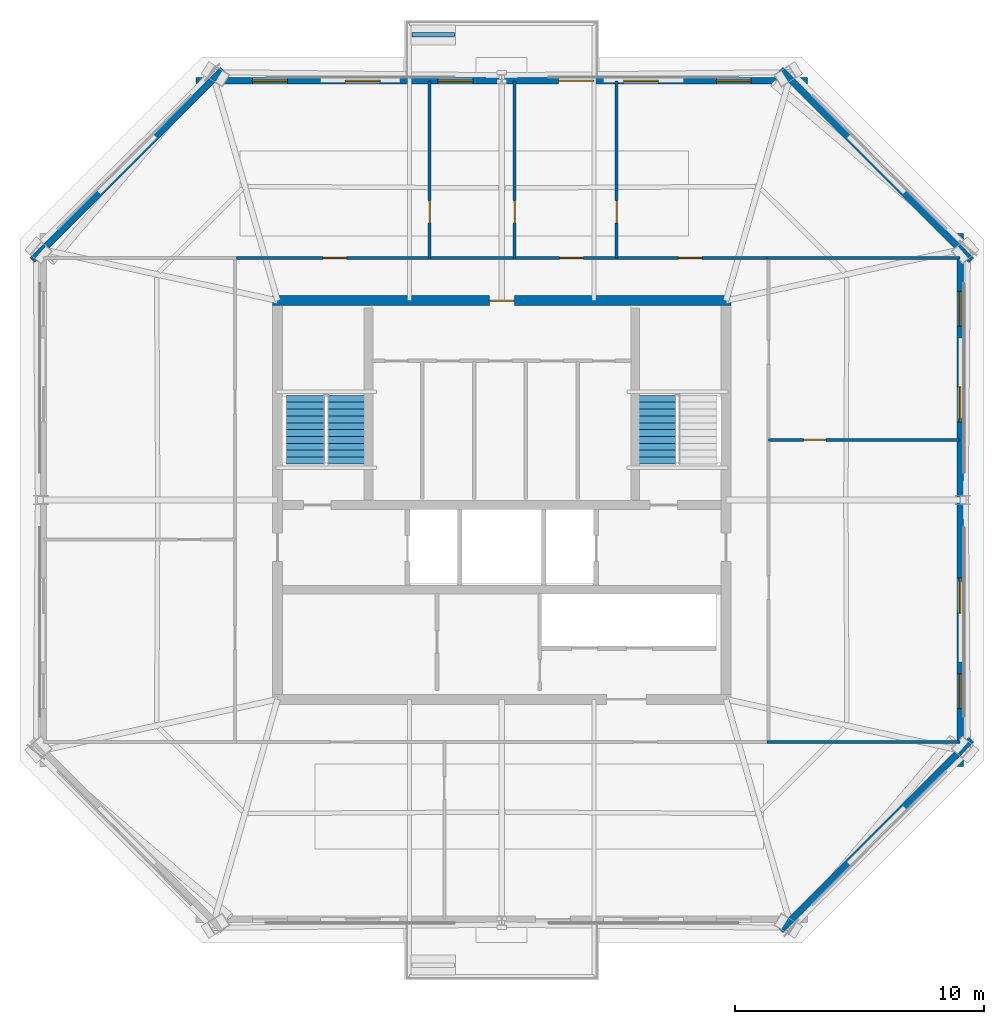
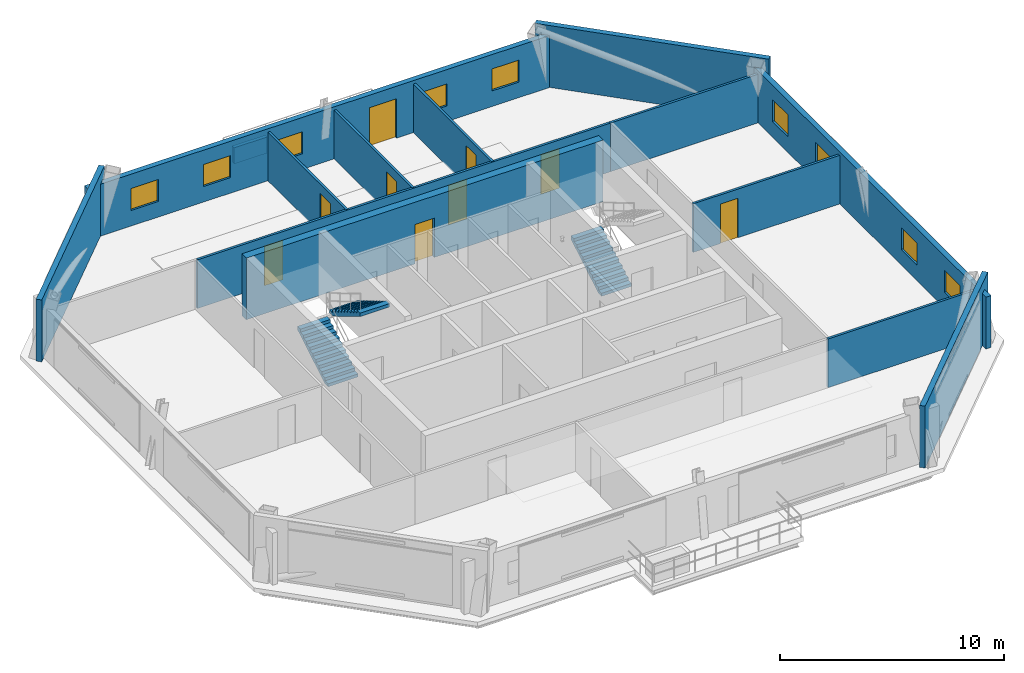
# One storey, part 4 of 7: 14 walls, 9 doors, 9 windows, 3 stair flights, 18 openings, 2 elements without a shape of their own.
"""IFC4 building model written with IfcOpenShell, lengths in metres."""

from ifc_helpers import new_model, si_unit, direction, frame, frame_2d, origin, place, context, subcontext, project, spatial, polyline, rectangle, outline, extrude, material, layer, layer_set, type_object, element, fill, aggregate, save


model = new_model("IFC4")

# Units and contexts
model_context = context("Model", 3, precision=1e-05, world=origin(), true_north=direction((0.0, 1.0)))
body_context = subcontext(model_context, "Body", "Model", "MODEL_VIEW")
ifc_project = project(units=[si_unit("LENGTHUNIT", "METRE"), si_unit("AREAUNIT", "SQUARE_METRE"), si_unit("VOLUMEUNIT", "CUBIC_METRE"), si_unit("PLANEANGLEUNIT", "RADIAN"), si_unit("MASSUNIT", "GRAM", prefix="KILO")], contexts=[model_context])

# Site, building, storey
site_placement = place(None, origin())
site = spatial("IfcSite", under=ifc_project, at=site_placement, CompositionType="ELEMENT")
building_placement = place(site_placement, origin())
building = spatial("IfcBuilding", under=site, at=building_placement, Name="Caelvoria Tower", CompositionType="ELEMENT")
storey_placement = place(building_placement, frame((0.0, 0.0, 257.39990234375)))
storey = spatial("IfcBuildingStorey", under=building, at=storey_placement, Name="L68", CompositionType="ELEMENT", Elevation=257.39990234375)

# Wall
ifc_material_1 = material(Name="Bronze-Clad Concrete C40/50", Category="concrete")
ifc_layer_1 = layer(ifc_material_1, 0.179931640625, Name="Bronze-Clad Concrete C40/50")
ifc_layer_set_1 = layer_set([ifc_layer_1], Name="Architectural Planter Kerb Wall 180 - Bronze-Clad Concrete C40/50")
wall_type_1 = type_object("IfcWallType", Name="Architectural Planter Kerb Wall 180", PredefinedType="PARAPET", material=ifc_layer_set_1)
wall_1_placement = place(storey_placement, frame((42.39990234375, 50.66357421875, 0.0), z_axis=(0.0, 0.0, 1.0), x_axis=(1.0, 0.0, 0.0)))
element("IfcWall", 1, at=wall_1_placement, inside=storey, type_object=wall_type_1, Name="Tree Balcony Planter Kerb PLANTER TB-L68-N", PredefinedType="PARAPET", context=body_context, shape_type="SweptSolid", body=[
    extrude(rectangle(XDim=1.7001953125, YDim=0.179931640625, at=frame_2d((0.85009765625, 0.0))), origin(), (0.0, 0.0, 1.0), 0.880126953125),
])

# Wall, opening, door
ifc_material_2 = material(Name="Concrete C50/60", Category="concrete")
ifc_layer_2 = layer(ifc_material_2, 0.39990234375, Name="Concrete C50/60")
ifc_layer_set_2 = layer_set([ifc_layer_2], Name="Summit Core Shear Wall 400 - Concrete C50/60")
wall_type_2 = type_object("IfcWallType", Name="Summit Core Shear Wall 400", PredefinedType="SHEAR", material=ifc_layer_set_2)
wall_2_placement = place(storey_placement, frame((36.800048828125, 40.0, 0.0), z_axis=(0.0, 0.0, 1.0), x_axis=(1.0, 0.0, 0.0)))
wall_2 = element("IfcWall", 2, at=wall_2_placement, inside=storey, type_object=wall_type_2, Name="Core Shear Wall L68 N", PredefinedType="SHEAR", context=body_context, shape_type="SweptSolid", body=[
    extrude(rectangle(XDim=18.39990234375, YDim=0.39990234375, at=frame_2d((9.199951171875, 0.0))), origin(), (0.0, 0.0, 1.0), 3.360107421875),
])
opening_1_placement = place(wall_2_placement, frame((8.699951171875, 0.0, 0.0)))
opening_1 = element("IfcOpeningElement", 3, at=opening_1_placement, cuts=wall_2, Name="Opening ID-03", PredefinedType="OPENING", context=body_context, shape_type="SweptSolid", body=[
    extrude(rectangle(XDim=1.0, YDim=2.14990234375, at=frame_2d((0.5, 1.074951171875))), frame((0.0, 0.2099609375, 0.0), z_axis=(0.0, -1.0, 0.0), x_axis=(1.0, 0.0, 0.0)), (0.0, 0.0, 1.0), 0.419921875),
])
ifc_material_3 = material(Name="Painted Hollow Steel Fire Door", Category="steel")
door_type_1 = type_object("IfcDoorType", Name="Fire Door FD60S 1000x2150", OperationType="NOTDEFINED", PredefinedType="DOOR", material=ifc_material_3)
door_1_placement = place(opening_1_placement, origin())
door_1 = element("IfcDoor", 4, at=door_1_placement, inside=storey, type_object=door_type_1, Name="Core Door DR-L68-WC-MAIN", OperationType="SINGLE_SWING_RIGHT", OverallHeight=2.14990234375, OverallWidth=1.0, PredefinedType="DOOR", context=body_context, shape_type="SweptSolid", body=[
    extrude(rectangle(XDim=1.0, YDim=2.14990234375, at=frame_2d((0.5, 1.074951171875))), frame((0.0, 0.02490234375, 0.0), z_axis=(0.0, -1.0, 0.0), x_axis=(1.0, 0.0, 0.0)), (0.0, 0.0, 1.0), 0.050048828125),
])
fill(opening_1, door_1)

ifc_material_4 = material(Name="Acoustic Gypsum Board on Light-Gauge Stud", Category="gypsum")
ifc_layer_3 = layer(ifc_material_4, 0.1201171875, Name="Acoustic Gypsum Board on Light-Gauge Stud")
ifc_layer_set_3 = layer_set([ifc_layer_3], Name="Tenant Suite Acoustic Partition Wall 120 - Acoustic Gypsum Board on Light-Gauge Stud")
wall_type_3 = type_object("IfcWallType", Name="Tenant Suite Acoustic Partition Wall 120", PredefinedType="PARTITIONING", material=ifc_layer_set_3)
wall_3_placement = place(storey_placement, frame((43.103759765625, 41.7099609375, 0.0), z_axis=(0.0, 0.0, 1.0), x_axis=(0.0, 1.0, 0.0)))
wall_3 = element("IfcWall", 5, at=wall_3_placement, inside=storey, type_object=wall_type_3, Name="Interior Partition IW-L68-ND-00-0", PredefinedType="PARTITIONING", context=body_context, shape_type="SweptSolid", body=[
    extrude(rectangle(XDim=7.113525390625, YDim=0.1201171875, at=frame_2d((3.556640625, 0.0))), origin(), (0.0, 0.0, 1.0), 2.655029296875),
])
opening_2_placement = place(wall_3_placement, frame((1.39990234375, 0.0, 0.0)))
opening_2 = element("IfcOpeningElement", 6, at=opening_2_placement, cuts=wall_3, Name="Opening ID-06", PredefinedType="OPENING", context=body_context, shape_type="SweptSolid", body=[
    extrude(rectangle(XDim=0.89990234375, YDim=2.14990234375, at=frame_2d((0.449951171875, 1.074951171875))), frame((0.0, 0.070068359375, 0.0), z_axis=(0.0, -1.0, 0.0), x_axis=(1.0, 0.0, 0.0)), (0.0, 0.0, 1.0), 0.14013671875),
])
ifc_material_5 = material(Name="Engineered Andean Oak Veneer Door", Category="wood")
door_type_2 = type_object("IfcDoorType", Name="Interior Timber Door 900x2150", OperationType="NOTDEFINED", PredefinedType="DOOR", material=ifc_material_5)
door_2_placement = place(opening_2_placement, origin())
door_2 = element("IfcDoor", 7, at=door_2_placement, inside=storey, type_object=door_type_2, Name="Interior Door DR-L68-NM-00-0", OperationType="SINGLE_SWING_RIGHT", OverallHeight=2.14990234375, OverallWidth=0.89990234375, PredefinedType="DOOR", context=body_context, shape_type="SweptSolid", body=[
    extrude(rectangle(XDim=0.89990234375, YDim=2.14990234375, at=frame_2d((0.449951171875, 1.074951171875))), frame((0.0, 0.02490234375, 0.0), z_axis=(0.0, -1.0, 0.0), x_axis=(1.0, 0.0, 0.0)), (0.0, 0.0, 1.0), 0.050048828125),
])
fill(opening_2, door_2)

wall_4_placement = place(storey_placement, frame((46.518798828125, 41.7099609375, 0.0), z_axis=(0.0, 0.0, 1.0), x_axis=(0.0, 1.0, 0.0)))
wall_4 = element("IfcWall", 8, at=wall_4_placement, inside=storey, type_object=wall_type_3, Name="Interior Partition IW-L68-ND-01-0", PredefinedType="PARTITIONING", context=body_context, shape_type="SweptSolid", body=[
    extrude(rectangle(XDim=7.113525390625, YDim=0.1201171875, at=frame_2d((3.556640625, 0.0))), origin(), (0.0, 0.0, 1.0), 2.655029296875),
])
opening_3_placement = place(wall_4_placement, frame((1.39990234375, 0.0, 0.0)))
opening_3 = element("IfcOpeningElement", 9, at=opening_3_placement, cuts=wall_4, Name="Opening ID-06", PredefinedType="OPENING", context=body_context, shape_type="SweptSolid", body=[
    extrude(rectangle(XDim=0.89990234375, YDim=2.14990234375, at=frame_2d((0.449951171875, 1.074951171875))), frame((0.0, 0.070068359375, 0.0), z_axis=(0.0, -1.0, 0.0), x_axis=(1.0, 0.0, 0.0)), (0.0, 0.0, 1.0), 0.14013671875),
])
door_3_placement = place(opening_3_placement, origin())
door_3 = element("IfcDoor", 10, at=door_3_placement, inside=storey, type_object=door_type_2, Name="Interior Door DR-L68-NM-01-0", OperationType="SINGLE_SWING_LEFT", OverallHeight=2.14990234375, OverallWidth=0.89990234375, PredefinedType="DOOR", context=body_context, shape_type="SweptSolid", body=[
    extrude(rectangle(XDim=0.89990234375, YDim=2.14990234375, at=frame_2d((0.449951171875, 1.074951171875))), frame((0.0, 0.02490234375, 0.0), z_axis=(0.0, -1.0, 0.0), x_axis=(1.0, 0.0, 0.0)), (0.0, 0.0, 1.0), 0.050048828125),
])
fill(opening_3, door_3)

wall_5_placement = place(storey_placement, frame((50.60888671875, 41.7099609375, 0.0), z_axis=(0.0, 0.0, 1.0), x_axis=(0.0, 1.0, 0.0)))
wall_5 = element("IfcWall", 11, at=wall_5_placement, inside=storey, type_object=wall_type_3, Name="Interior Partition IW-L68-ND-02-0", PredefinedType="PARTITIONING", context=body_context, shape_type="SweptSolid", body=[
    extrude(rectangle(XDim=7.113525390625, YDim=0.1201171875, at=frame_2d((3.556640625, 0.0))), origin(), (0.0, 0.0, 1.0), 2.655029296875),
])
opening_4_placement = place(wall_5_placement, frame((1.39990234375, 0.0, 0.0)))
opening_4 = element("IfcOpeningElement", 12, at=opening_4_placement, cuts=wall_5, Name="Opening ID-06", PredefinedType="OPENING", context=body_context, shape_type="SweptSolid", body=[
    extrude(rectangle(XDim=0.89990234375, YDim=2.14990234375, at=frame_2d((0.449951171875, 1.074951171875))), frame((0.0, 0.070068359375, 0.0), z_axis=(0.0, -1.0, 0.0), x_axis=(1.0, 0.0, 0.0)), (0.0, 0.0, 1.0), 0.14013671875),
])
door_4_placement = place(opening_4_placement, origin())
door_4 = element("IfcDoor", 13, at=door_4_placement, inside=storey, type_object=door_type_2, Name="Interior Door DR-L68-NM-02-0", OperationType="SINGLE_SWING_RIGHT", OverallHeight=2.14990234375, OverallWidth=0.89990234375, PredefinedType="DOOR", context=body_context, shape_type="SweptSolid", body=[
    extrude(rectangle(XDim=0.89990234375, YDim=2.14990234375, at=frame_2d((0.449951171875, 1.074951171875))), frame((0.0, 0.02490234375, 0.0), z_axis=(0.0, -1.0, 0.0), x_axis=(1.0, 0.0, 0.0)), (0.0, 0.0, 1.0), 0.050048828125),
])
fill(opening_4, door_4)

# Wall, openings, doors
wall_6_placement = place(storey_placement, frame((35.35009765625, 41.7099609375, 0.0), z_axis=(0.0, 0.0, 1.0), x_axis=(1.0, 0.0, 0.0)))
wall_6 = element("IfcWall", 14, at=wall_6_placement, inside=storey, type_object=wall_type_3, Name="Interior Partition IW-L68-NCW-0", PredefinedType="PARTITIONING", context=body_context, shape_type="SweptSolid", body=[
    extrude(rectangle(XDim=21.2998046875, YDim=0.1201171875, at=frame_2d((10.64990234375, 0.0))), origin(), (0.0, 0.0, 1.0), 2.655029296875),
])
opening_5_placement = place(wall_6_placement, frame((3.471923828125, 0.0, 0.0)))
opening_5 = element("IfcOpeningElement", 15, at=opening_5_placement, cuts=wall_6, Name="Opening ID-05", PredefinedType="OPENING", context=body_context, shape_type="SweptSolid", body=[
    extrude(rectangle(XDim=0.949951171875, YDim=2.14990234375, at=frame_2d((0.47509765625, 1.074951171875))), frame((0.0, 0.070068359375, 0.0), z_axis=(0.0, -1.0, 0.0), x_axis=(1.0, 0.0, 0.0)), (0.0, 0.0, 1.0), 0.14013671875),
])
opening_6_placement = place(wall_6_placement, frame((12.974609375, 0.0, 0.0)))
opening_6 = element("IfcOpeningElement", 16, at=opening_6_placement, cuts=wall_6, Name="Opening ID-05", PredefinedType="OPENING", context=body_context, shape_type="SweptSolid", body=[
    extrude(rectangle(XDim=0.949951171875, YDim=2.14990234375, at=frame_2d((0.47509765625, 1.074951171875))), frame((0.0, 0.070068359375, 0.0), z_axis=(0.0, -1.0, 0.0), x_axis=(1.0, 0.0, 0.0)), (0.0, 0.0, 1.0), 0.14013671875),
])
opening_7_placement = place(wall_6_placement, frame((17.734619140625, 0.0, 0.0)))
opening_7 = element("IfcOpeningElement", 17, at=opening_7_placement, cuts=wall_6, Name="Opening ID-05", PredefinedType="OPENING", context=body_context, shape_type="SweptSolid", body=[
    extrude(rectangle(XDim=0.949951171875, YDim=2.14990234375, at=frame_2d((0.47509765625, 1.074951171875))), frame((0.0, 0.070068359375, 0.0), z_axis=(0.0, -1.0, 0.0), x_axis=(1.0, 0.0, 0.0)), (0.0, 0.0, 1.0), 0.14013671875),
])
door_type_3 = type_object("IfcDoorType", Name="Interior Timber Door 950x2150", OperationType="NOTDEFINED", PredefinedType="DOOR", material=ifc_material_5)
door_5_placement = place(opening_5_placement, origin())
door_5 = element("IfcDoor", 18, at=door_5_placement, inside=storey, type_object=door_type_3, Name="Interior Door DR-L68-NC-00-0", OperationType="SINGLE_SWING_LEFT", OverallHeight=2.14990234375, OverallWidth=0.949951171875, PredefinedType="DOOR", context=body_context, shape_type="SweptSolid", body=[
    extrude(rectangle(XDim=0.949951171875, YDim=2.14990234375, at=frame_2d((0.47509765625, 1.074951171875))), frame((0.0, 0.02490234375, 0.0), z_axis=(0.0, -1.0, 0.0), x_axis=(1.0, 0.0, 0.0)), (0.0, 0.0, 1.0), 0.050048828125),
])
fill(opening_5, door_5)
door_6_placement = place(opening_6_placement, origin())
door_6 = element("IfcDoor", 19, at=door_6_placement, inside=storey, type_object=door_type_3, Name="Interior Door DR-L68-NC-02-0", OperationType="SINGLE_SWING_LEFT", OverallHeight=2.14990234375, OverallWidth=0.949951171875, PredefinedType="DOOR", context=body_context, shape_type="SweptSolid", body=[
    extrude(rectangle(XDim=0.949951171875, YDim=2.14990234375, at=frame_2d((0.47509765625, 1.074951171875))), frame((0.0, 0.02490234375, 0.0), z_axis=(0.0, -1.0, 0.0), x_axis=(1.0, 0.0, 0.0)), (0.0, 0.0, 1.0), 0.050048828125),
])
fill(opening_6, door_6)
door_7_placement = place(opening_7_placement, origin())
door_7 = element("IfcDoor", 20, at=door_7_placement, inside=storey, type_object=door_type_3, Name="Interior Door DR-L68-NC-03-0", OperationType="SINGLE_SWING_RIGHT", OverallHeight=2.14990234375, OverallWidth=0.949951171875, PredefinedType="DOOR", context=body_context, shape_type="SweptSolid", body=[
    extrude(rectangle(XDim=0.949951171875, YDim=2.14990234375, at=frame_2d((0.47509765625, 1.074951171875))), frame((0.0, 0.02490234375, 0.0), z_axis=(0.0, -1.0, 0.0), x_axis=(1.0, 0.0, 0.0)), (0.0, 0.0, 1.0), 0.050048828125),
])
fill(opening_7, door_7)

# Wall, opening, door
wall_7_placement = place(storey_placement, frame((56.7099609375, 34.413330078125, 0.0), z_axis=(0.0, 0.0, 1.0), x_axis=(1.0, 0.0, 0.0)))
wall_7 = element("IfcWall", 21, at=wall_7_placement, inside=storey, type_object=wall_type_3, Name="Interior Partition IW-L68-ED-00-0", PredefinedType="PARTITIONING", context=body_context, shape_type="SweptSolid", body=[
    extrude(rectangle(XDim=7.6865234375, YDim=0.1201171875, at=frame_2d((3.84326171875, 0.0))), origin(), (0.0, 0.0, 1.0), 2.655029296875),
])
opening_8_placement = place(wall_7_placement, frame((1.39990234375, 0.0, 0.0)))
opening_8 = element("IfcOpeningElement", 22, at=opening_8_placement, cuts=wall_7, Name="Opening ID-06", PredefinedType="OPENING", context=body_context, shape_type="SweptSolid", body=[
    extrude(rectangle(XDim=0.89990234375, YDim=2.14990234375, at=frame_2d((0.449951171875, 1.074951171875))), frame((0.0, 0.070068359375, 0.0), z_axis=(0.0, -1.0, 0.0), x_axis=(1.0, 0.0, 0.0)), (0.0, 0.0, 1.0), 0.14013671875),
])
door_8_placement = place(opening_8_placement, origin())
door_8 = element("IfcDoor", 23, at=door_8_placement, inside=storey, type_object=door_type_2, Name="Interior Door DR-L68-EM-00-0", OperationType="SINGLE_SWING_RIGHT", OverallHeight=2.14990234375, OverallWidth=0.89990234375, PredefinedType="DOOR", context=body_context, shape_type="SweptSolid", body=[
    extrude(rectangle(XDim=0.89990234375, YDim=2.14990234375, at=frame_2d((0.449951171875, 1.074951171875))), frame((0.0, 0.02490234375, 0.0), z_axis=(0.0, -1.0, 0.0), x_axis=(1.0, 0.0, 0.0)), (0.0, 0.0, 1.0), 0.050048828125),
])
fill(opening_8, door_8)

# Walls
for number, where, z_axis, x_axis, name in (
    (24, (56.64990234375, 22.2900390625, 0.0), (0.0, 0.0, 1.0), (1.0, 0.0, 0.0), "Interior Partition IW-L68-BSE-0"),
    (25, (56.64990234375, 41.7099609375, 0.0), (0.0, 0.0, 1.0), (1.0, 0.0, 0.0), "Interior Partition IW-L68-BNE-0"),
):
    element("IfcWall", number, at=place(storey_placement, frame(where, z_axis=z_axis, x_axis=x_axis)), inside=storey, type_object=wall_type_3, Name=name, PredefinedType="PARTITIONING", context=body_context, shape_type="SweptSolid", body=[
        extrude(rectangle(XDim=7.74658203125, YDim=0.1201171875, at=frame_2d((3.873291015625, 0.0))), origin(), (0.0, 0.0, 1.0), 2.655029296875),
    ])
ifc_material_6 = material(Name="Precast Concrete C40/50 with Bronze Cladding", Category="concrete")
ifc_layer_4 = layer(ifc_material_6, 0.264892578125, Name="Precast Concrete C40/50 with Bronze Cladding")
ifc_layer_set_4 = layer_set([ifc_layer_4], Name="Upper Taper Precast Concrete C40/50 Bronze Facade Wall 265 - Precast Concrete C40/50 with Bronze Cladding")
wall_type_4 = type_object("IfcWallType", Name="Upper Taper Precast Concrete C40/50 Bronze Facade Wall 265", PredefinedType="STANDARD", material=ifc_layer_set_4)
wall_8_placement = place(storey_placement, frame((57.19287109375, 14.7314453125, 0.0), z_axis=(0.0, 0.0, 1.0), x_axis=(0.707106781187, 0.707106781187, 0.0)))
element("IfcWall", 26, at=wall_8_placement, inside=storey, type_object=wall_type_4, Name="Exterior Facade Wall L68-E1", PredefinedType="STANDARD", context=body_context, shape_type="SweptSolid", body=[
    extrude(rectangle(XDim=10.81640625, YDim=0.264892578125, at=frame_2d((5.408203125, 0.0))), origin(), (0.0, 0.0, 1.0), 3.375),
])

# Wall, openings, windows
wall_9_placement = place(storey_placement, frame((64.396484375, 21.305419921875, 0.0), z_axis=(0.0, 0.0, 1.0), x_axis=(0.0, 1.0, 0.0)))
wall_9 = element("IfcWall", 27, at=wall_9_placement, inside=storey, type_object=wall_type_4, Name="Exterior Facade Wall L68-E2", PredefinedType="STANDARD", context=body_context, shape_type="SweptSolid", body=[
    extrude(rectangle(XDim=21.38916015625, YDim=0.264892578125, at=frame_2d((10.694580078125, 0.0))), origin(), (0.0, 0.0, 1.0), 2.83203125),
])
opening_9_placement = place(wall_9_placement, frame((2.31884765625, 0.0, 0.85009765625)))
opening_9 = element("IfcOpeningElement", 28, at=opening_9_placement, cuts=wall_9, Name="Opening WN-06", PredefinedType="OPENING", context=body_context, shape_type="SweptSolid", body=[
    extrude(rectangle(XDim=1.39990234375, YDim=1.199951171875, at=frame_2d((0.699951171875, 0.60009765625))), frame((0.0, 0.142333984375, 0.0), z_axis=(0.0, -1.0, 0.0), x_axis=(1.0, 0.0, 0.0)), (0.0, 0.0, 1.0), 0.284912109375),
])
opening_10_placement = place(wall_9_placement, frame((6.15673828125, 0.0, 0.85009765625)))
opening_10 = element("IfcOpeningElement", 29, at=opening_10_placement, cuts=wall_9, Name="Opening WN-06", PredefinedType="OPENING", context=body_context, shape_type="SweptSolid", body=[
    extrude(rectangle(XDim=1.39990234375, YDim=1.199951171875, at=frame_2d((0.699951171875, 0.60009765625))), frame((0.0, 0.142333984375, 0.0), z_axis=(0.0, -1.0, 0.0), x_axis=(1.0, 0.0, 0.0)), (0.0, 0.0, 1.0), 0.284912109375),
])
opening_11_placement = place(wall_9_placement, frame((13.832275390625, 0.0, 0.85009765625)))
opening_11 = element("IfcOpeningElement", 30, at=opening_11_placement, cuts=wall_9, Name="Opening WN-06", PredefinedType="OPENING", context=body_context, shape_type="SweptSolid", body=[
    extrude(rectangle(XDim=1.39990234375, YDim=1.199951171875, at=frame_2d((0.699951171875, 0.60009765625))), frame((0.0, 0.142333984375, 0.0), z_axis=(0.0, -1.0, 0.0), x_axis=(1.0, 0.0, 0.0)), (0.0, 0.0, 1.0), 0.284912109375),
])
opening_12_placement = place(wall_9_placement, frame((17.670166015625, 0.0, 0.85009765625)))
opening_12 = element("IfcOpeningElement", 31, at=opening_12_placement, cuts=wall_9, Name="Opening WN-06", PredefinedType="OPENING", context=body_context, shape_type="SweptSolid", body=[
    extrude(rectangle(XDim=1.39990234375, YDim=1.199951171875, at=frame_2d((0.699951171875, 0.60009765625))), frame((0.0, 0.142333984375, 0.0), z_axis=(0.0, -1.0, 0.0), x_axis=(1.0, 0.0, 0.0)), (0.0, 0.0, 1.0), 0.284912109375),
])
ifc_material_7 = material(Name="Low-E Tinted Glass in Bronze Aluminium Frame", Category="aluminium")
window_type = type_object("IfcWindowType", Name="Podium Clerestory Window 1400x1200", PartitioningType="SINGLE_PANEL", PredefinedType="WINDOW", material=ifc_material_7)
window_1_placement = place(opening_9_placement, origin())
window_1 = element("IfcWindow", 32, at=window_1_placement, inside=storey, type_object=window_type, Name="Facade Window L68-E2-00", OverallHeight=1.199951171875, OverallWidth=1.39990234375, PartitioningType="SINGLE_PANEL", PredefinedType="WINDOW", context=body_context, shape_type="SweptSolid", body=[
    extrude(rectangle(XDim=1.39990234375, YDim=1.199951171875, at=frame_2d((0.699951171875, 0.60009765625))), frame((0.0, 0.030029296875, 0.0), z_axis=(0.0, -1.0, 0.0), x_axis=(1.0, 0.0, 0.0)), (0.0, 0.0, 1.0), 0.06005859375),
])
fill(opening_9, window_1)
window_2_placement = place(opening_10_placement, origin())
window_2 = element("IfcWindow", 33, at=window_2_placement, inside=storey, type_object=window_type, Name="Facade Window L68-E2-01", OverallHeight=1.199951171875, OverallWidth=1.39990234375, PartitioningType="SINGLE_PANEL", PredefinedType="WINDOW", context=body_context, shape_type="SweptSolid", body=[
    extrude(rectangle(XDim=1.39990234375, YDim=1.199951171875, at=frame_2d((0.699951171875, 0.60009765625))), frame((0.0, 0.030029296875, 0.0), z_axis=(0.0, -1.0, 0.0), x_axis=(1.0, 0.0, 0.0)), (0.0, 0.0, 1.0), 0.06005859375),
])
fill(opening_10, window_2)
window_3_placement = place(opening_11_placement, origin())
window_3 = element("IfcWindow", 34, at=window_3_placement, inside=storey, type_object=window_type, Name="Facade Window L68-E2-03", OverallHeight=1.199951171875, OverallWidth=1.39990234375, PartitioningType="SINGLE_PANEL", PredefinedType="WINDOW", context=body_context, shape_type="SweptSolid", body=[
    extrude(rectangle(XDim=1.39990234375, YDim=1.199951171875, at=frame_2d((0.699951171875, 0.60009765625))), frame((0.0, 0.030029296875, 0.0), z_axis=(0.0, -1.0, 0.0), x_axis=(1.0, 0.0, 0.0)), (0.0, 0.0, 1.0), 0.06005859375),
])
fill(opening_11, window_3)
window_4_placement = place(opening_12_placement, origin())
window_4 = element("IfcWindow", 35, at=window_4_placement, inside=storey, type_object=window_type, Name="Facade Window L68-E2-04", OverallHeight=1.199951171875, OverallWidth=1.39990234375, PartitioningType="SINGLE_PANEL", PredefinedType="WINDOW", context=body_context, shape_type="SweptSolid", body=[
    extrude(rectangle(XDim=1.39990234375, YDim=1.199951171875, at=frame_2d((0.699951171875, 0.60009765625))), frame((0.0, 0.030029296875, 0.0), z_axis=(0.0, -1.0, 0.0), x_axis=(1.0, 0.0, 0.0)), (0.0, 0.0, 1.0), 0.06005859375),
])
fill(opening_12, window_4)

# Wall
wall_10_placement = place(storey_placement, frame((64.84130859375, 41.6201171875, 0.0), z_axis=(0.0, 0.0, 1.0), x_axis=(-0.707106781187, 0.707106781187, 0.0)))
element("IfcWall", 36, at=wall_10_placement, inside=storey, type_object=wall_type_4, Name="Exterior Facade Wall L68-E3", PredefinedType="STANDARD", context=body_context, shape_type="SweptSolid", body=[
    extrude(rectangle(XDim=10.81640625, YDim=0.264892578125, at=frame_2d((5.408203125, 0.0))), origin(), (0.0, 0.0, 1.0), 3.375),
])

# Wall, openings, windows, door
wall_11_placement = place(storey_placement, frame((58.267333984375, 48.823486328125, 0.0), z_axis=(0.0, 0.0, 1.0), x_axis=(-1.0, 0.0, 0.0)))
wall_11 = element("IfcWall", 37, at=wall_11_placement, inside=storey, type_object=wall_type_4, Name="Exterior Facade Wall L68-E4", PredefinedType="STANDARD", context=body_context, shape_type="SweptSolid", body=[
    extrude(rectangle(XDim=24.53466796875, YDim=0.264892578125, at=frame_2d((12.267333984375, 0.0))), origin(), (0.0, 0.0, 1.0), 2.83203125),
])
opening_13_placement = place(wall_11_placement, frame((8.58740234375, 0.0, 0.0)))
opening_13 = element("IfcOpeningElement", 38, at=opening_13_placement, cuts=wall_11, Name="Opening ED-04", PredefinedType="OPENING", context=body_context, shape_type="SweptSolid", body=[
    extrude(rectangle(XDim=1.39990234375, YDim=2.14990234375, at=frame_2d((0.699951171875, 1.074951171875))), frame((0.0, 0.142333984375, 0.0), z_axis=(0.0, -1.0, 0.0), x_axis=(1.0, 0.0, 0.0)), (0.0, 0.0, 1.0), 0.284912109375),
])
opening_14_placement = place(wall_11_placement, frame((2.26123046875, 0.0, 0.85009765625)))
opening_14 = element("IfcOpeningElement", 39, at=opening_14_placement, cuts=wall_11, Name="Opening WN-06", PredefinedType="OPENING", context=body_context, shape_type="SweptSolid", body=[
    extrude(rectangle(XDim=1.39990234375, YDim=1.199951171875, at=frame_2d((0.699951171875, 0.60009765625))), frame((0.0, 0.142333984375, 0.0), z_axis=(0.0, -1.0, 0.0), x_axis=(1.0, 0.0, 0.0)), (0.0, 0.0, 1.0), 0.284912109375),
])
opening_15_placement = place(wall_11_placement, frame((5.983642578125, 0.0, 0.85009765625)))
opening_15 = element("IfcOpeningElement", 40, at=opening_15_placement, cuts=wall_11, Name="Opening WN-06", PredefinedType="OPENING", context=body_context, shape_type="SweptSolid", body=[
    extrude(rectangle(XDim=1.39990234375, YDim=1.199951171875, at=frame_2d((0.699951171875, 0.60009765625))), frame((0.0, 0.142333984375, 0.0), z_axis=(0.0, -1.0, 0.0), x_axis=(1.0, 0.0, 0.0)), (0.0, 0.0, 1.0), 0.284912109375),
])
opening_16_placement = place(wall_11_placement, frame((13.428466796875, 0.0, 0.85009765625)))
opening_16 = element("IfcOpeningElement", 41, at=opening_16_placement, cuts=wall_11, Name="Opening WN-06", PredefinedType="OPENING", context=body_context, shape_type="SweptSolid", body=[
    extrude(rectangle(XDim=1.39990234375, YDim=1.199951171875, at=frame_2d((0.699951171875, 0.60009765625))), frame((0.0, 0.142333984375, 0.0), z_axis=(0.0, -1.0, 0.0), x_axis=(1.0, 0.0, 0.0)), (0.0, 0.0, 1.0), 0.284912109375),
])
opening_17_placement = place(wall_11_placement, frame((17.15087890625, 0.0, 0.85009765625)))
opening_17 = element("IfcOpeningElement", 42, at=opening_17_placement, cuts=wall_11, Name="Opening WN-06", PredefinedType="OPENING", context=body_context, shape_type="SweptSolid", body=[
    extrude(rectangle(XDim=1.39990234375, YDim=1.199951171875, at=frame_2d((0.699951171875, 0.60009765625))), frame((0.0, 0.142333984375, 0.0), z_axis=(0.0, -1.0, 0.0), x_axis=(1.0, 0.0, 0.0)), (0.0, 0.0, 1.0), 0.284912109375),
])
opening_18_placement = place(wall_11_placement, frame((20.873291015625, 0.0, 0.85009765625)))
opening_18 = element("IfcOpeningElement", 43, at=opening_18_placement, cuts=wall_11, Name="Opening WN-06", PredefinedType="OPENING", context=body_context, shape_type="SweptSolid", body=[
    extrude(rectangle(XDim=1.39990234375, YDim=1.199951171875, at=frame_2d((0.699951171875, 0.60009765625))), frame((0.0, 0.142333984375, 0.0), z_axis=(0.0, -1.0, 0.0), x_axis=(1.0, 0.0, 0.0)), (0.0, 0.0, 1.0), 0.284912109375),
])
window_5_placement = place(opening_14_placement, origin())
window_5 = element("IfcWindow", 44, at=window_5_placement, inside=storey, type_object=window_type, Name="Facade Window L68-E4-00", OverallHeight=1.199951171875, OverallWidth=1.39990234375, PartitioningType="SINGLE_PANEL", PredefinedType="WINDOW", context=body_context, shape_type="SweptSolid", body=[
    extrude(rectangle(XDim=1.39990234375, YDim=1.199951171875, at=frame_2d((0.699951171875, 0.60009765625))), frame((0.0, 0.030029296875, 0.0), z_axis=(0.0, -1.0, 0.0), x_axis=(1.0, 0.0, 0.0)), (0.0, 0.0, 1.0), 0.06005859375),
])
fill(opening_14, window_5)
window_6_placement = place(opening_15_placement, origin())
window_6 = element("IfcWindow", 45, at=window_6_placement, inside=storey, type_object=window_type, Name="Facade Window L68-E4-01", OverallHeight=1.199951171875, OverallWidth=1.39990234375, PartitioningType="SINGLE_PANEL", PredefinedType="WINDOW", context=body_context, shape_type="SweptSolid", body=[
    extrude(rectangle(XDim=1.39990234375, YDim=1.199951171875, at=frame_2d((0.699951171875, 0.60009765625))), frame((0.0, 0.030029296875, 0.0), z_axis=(0.0, -1.0, 0.0), x_axis=(1.0, 0.0, 0.0)), (0.0, 0.0, 1.0), 0.06005859375),
])
fill(opening_15, window_6)
window_7_placement = place(opening_16_placement, origin())
window_7 = element("IfcWindow", 46, at=window_7_placement, inside=storey, type_object=window_type, Name="Facade Window L68-E4-03", OverallHeight=1.199951171875, OverallWidth=1.39990234375, PartitioningType="SINGLE_PANEL", PredefinedType="WINDOW", context=body_context, shape_type="SweptSolid", body=[
    extrude(rectangle(XDim=1.39990234375, YDim=1.199951171875, at=frame_2d((0.699951171875, 0.60009765625))), frame((0.0, 0.030029296875, 0.0), z_axis=(0.0, -1.0, 0.0), x_axis=(1.0, 0.0, 0.0)), (0.0, 0.0, 1.0), 0.06005859375),
])
fill(opening_16, window_7)
window_8_placement = place(opening_17_placement, origin())
window_8 = element("IfcWindow", 47, at=window_8_placement, inside=storey, type_object=window_type, Name="Facade Window L68-E4-04", OverallHeight=1.199951171875, OverallWidth=1.39990234375, PartitioningType="SINGLE_PANEL", PredefinedType="WINDOW", context=body_context, shape_type="SweptSolid", body=[
    extrude(rectangle(XDim=1.39990234375, YDim=1.199951171875, at=frame_2d((0.699951171875, 0.60009765625))), frame((0.0, 0.030029296875, 0.0), z_axis=(0.0, -1.0, 0.0), x_axis=(1.0, 0.0, 0.0)), (0.0, 0.0, 1.0), 0.06005859375),
])
fill(opening_17, window_8)
window_9_placement = place(opening_18_placement, origin())
window_9 = element("IfcWindow", 48, at=window_9_placement, inside=storey, type_object=window_type, Name="Facade Window L68-E4-05", OverallHeight=1.199951171875, OverallWidth=1.39990234375, PartitioningType="SINGLE_PANEL", PredefinedType="WINDOW", context=body_context, shape_type="SweptSolid", body=[
    extrude(rectangle(XDim=1.39990234375, YDim=1.199951171875, at=frame_2d((0.699951171875, 0.60009765625))), frame((0.0, 0.030029296875, 0.0), z_axis=(0.0, -1.0, 0.0), x_axis=(1.0, 0.0, 0.0)), (0.0, 0.0, 1.0), 0.06005859375),
])
fill(opening_18, window_9)
ifc_material_8 = material(Name="Anodised Bronze Aluminium and Laminated Glass", Category="aluminium")
door_type_4 = type_object("IfcDoorType", Name="Tree Balcony Glazed Door 1400x2150", OperationType="NOTDEFINED", PredefinedType="DOOR", material=ifc_material_8)
door_9_placement = place(opening_13_placement, origin())
door_9 = element("IfcDoor", 49, at=door_9_placement, inside=storey, type_object=door_type_4, Name="Tree Balcony Door L68-N", OperationType="SINGLE_SWING_LEFT", OverallHeight=2.14990234375, OverallWidth=1.39990234375, PredefinedType="DOOR", context=body_context, shape_type="SweptSolid", body=[
    extrude(rectangle(XDim=1.39990234375, YDim=2.14990234375, at=frame_2d((0.699951171875, 1.074951171875))), frame((0.0, 0.02490234375, 0.0), z_axis=(0.0, -1.0, 0.0), x_axis=(1.0, 0.0, 0.0)), (0.0, 0.0, 1.0), 0.050048828125),
])
fill(opening_13, door_9)

# Wall
wall_12_placement = place(storey_placement, frame((34.80712890625, 49.2685546875, 0.0), z_axis=(0.0, 0.0, 1.0), x_axis=(-0.707106781187, -0.707106781187, 0.0)))
element("IfcWall", 50, at=wall_12_placement, inside=storey, type_object=wall_type_4, Name="Exterior Facade Wall L68-E5", PredefinedType="STANDARD", context=body_context, shape_type="SweptSolid", body=[
    extrude(rectangle(XDim=10.81640625, YDim=0.264892578125, at=frame_2d((5.408203125, 0.0))), origin(), (0.0, 0.0, 1.0), 3.375),
])

# Stair, stair flights
ifc_material_9 = material(Name="Concrete C40/50", Category="concrete")
stair_type = type_object("IfcStairType", Name="Core Smokeproof Dogleg Stair Concrete C40/50", PredefinedType="HALF_TURN_STAIR", material=ifc_material_9)
stair_1_placement = place(storey_placement, origin())
stair_1 = element("IfcStair", 51, at=stair_1_placement, inside=storey, type_object=stair_type, Name="ST-01 Smokeproof Exit Stair L68", PredefinedType="HALF_TURN_STAIR")
ifc_material_10 = material(Name="Precast Concrete C40/50", Category="concrete")
stair_flight_type = type_object("IfcStairFlightType", Name="Precast Concrete C40/50 Stair Flight 1480", PredefinedType="STRAIGHT", material=ifc_material_10)
stair_flight_1_placement = place(storey_placement, frame((38.1298828125, 33.449951171875, 0.0), z_axis=(0.0, 0.0, 1.0), x_axis=(0.0, 1.0, 0.0)))
stair_flight_1 = element("IfcStairFlight", 52, at=stair_flight_1_placement, type_object=stair_flight_type, Name="ST-01 flight 1", NumberOfRisers=11, NumberOfTreads=10, PredefinedType="STRAIGHT", RiserHeight=0.1636, TreadLength=0.275, context=body_context, shape_type="SweptSolid", body=[
    extrude(outline(polyline([(0.0, 0.0), (0.0, 0.16357421875), (0.27490234375, 0.16357421875), (0.27490234375, 0.3271484375), (0.550048828125, 0.3271484375), (0.550048828125, 0.49072265625), (0.824951171875, 0.49072265625), (0.824951171875, 0.654296875), (1.10009765625, 0.654296875), (1.10009765625, 0.818115234375), (1.375, 0.818115234375), (1.375, 0.981689453125), (1.64990234375, 0.981689453125), (1.64990234375, 1.145263671875), (1.925048828125, 1.145263671875), (1.925048828125, 1.308837890625), (2.199951171875, 1.308837890625), (2.199951171875, 1.472412109375), (2.47509765625, 1.472412109375), (2.47509765625, 1.635986328125), (2.75, 1.635986328125), (2.75, 1.799560546875), (2.75, 1.449951171875), (0.312744140625, 0.0), (0.0, 0.0)])), frame((0.0, 0.77001953125, 0.0), z_axis=(0.0, -1.0, 0.0), x_axis=(1.0, 0.0, 0.0)), (0.0, 0.0, 1.0), 1.5400390625),
])
stair_flight_2_placement = place(storey_placement, frame((39.77001953125, 36.199951171875, 1.800048828125), z_axis=(0.0, 0.0, 1.0), x_axis=(0.0, -1.0, 0.0)))
stair_flight_2 = element("IfcStairFlight", 53, at=stair_flight_2_placement, type_object=stair_flight_type, Name="ST-01 flight 2", NumberOfRisers=11, NumberOfTreads=10, PredefinedType="STRAIGHT", RiserHeight=0.1636, TreadLength=0.275, context=body_context, shape_type="SweptSolid", body=[
    extrude(outline(polyline([(0.0, 0.0), (0.0, 0.16357421875), (0.27490234375, 0.16357421875), (0.27490234375, 0.3271484375), (0.550048828125, 0.3271484375), (0.550048828125, 0.49072265625), (0.824951171875, 0.49072265625), (0.824951171875, 0.654296875), (1.10009765625, 0.654296875), (1.10009765625, 0.818115234375), (1.375, 0.818115234375), (1.375, 0.981689453125), (1.64990234375, 0.981689453125), (1.64990234375, 1.145263671875), (1.925048828125, 1.145263671875), (1.925048828125, 1.308837890625), (2.199951171875, 1.308837890625), (2.199951171875, 1.472412109375), (2.47509765625, 1.472412109375), (2.47509765625, 1.635986328125), (2.75, 1.635986328125), (2.75, 1.799560546875), (2.75, 1.449951171875), (0.312744140625, 0.0), (0.0, 0.0)])), frame((0.0, 0.77001953125, 0.0), z_axis=(0.0, -1.0, 0.0), x_axis=(1.0, 0.0, 0.0)), (0.0, 0.0, 1.0), 1.5400390625),
])
aggregate(stair_1, [stair_flight_1, stair_flight_2])

# Stair, stair flight
stair_2_placement = place(storey_placement, origin())
stair_2 = element("IfcStair", 54, at=stair_2_placement, inside=storey, type_object=stair_type, Name="ST-02 Smokeproof Exit Stair L68", PredefinedType="HALF_TURN_STAIR")
stair_flight_3_placement = place(storey_placement, frame((52.22998046875, 33.449951171875, 0.0), z_axis=(0.0, 0.0, 1.0), x_axis=(0.0, 1.0, 0.0)))
stair_flight_3 = element("IfcStairFlight", 55, at=stair_flight_3_placement, type_object=stair_flight_type, Name="ST-02 flight 1", NumberOfRisers=11, NumberOfTreads=10, PredefinedType="STRAIGHT", RiserHeight=0.1636, TreadLength=0.275, context=body_context, shape_type="SweptSolid", body=[
    extrude(outline(polyline([(0.0, 0.0), (0.0, 0.16357421875), (0.27490234375, 0.16357421875), (0.27490234375, 0.3271484375), (0.550048828125, 0.3271484375), (0.550048828125, 0.49072265625), (0.824951171875, 0.49072265625), (0.824951171875, 0.654296875), (1.10009765625, 0.654296875), (1.10009765625, 0.818115234375), (1.375, 0.818115234375), (1.375, 0.981689453125), (1.64990234375, 0.981689453125), (1.64990234375, 1.145263671875), (1.925048828125, 1.145263671875), (1.925048828125, 1.308837890625), (2.199951171875, 1.308837890625), (2.199951171875, 1.472412109375), (2.47509765625, 1.472412109375), (2.47509765625, 1.635986328125), (2.75, 1.635986328125), (2.75, 1.799560546875), (2.75, 1.449951171875), (0.312744140625, 0.0), (0.0, 0.0)])), frame((0.0, 0.77001953125, 0.0), z_axis=(0.0, -1.0, 0.0), x_axis=(1.0, 0.0, 0.0)), (0.0, 0.0, 1.0), 1.5400390625),
])
aggregate(stair_2, [stair_flight_3])

save(model, "model.ifc")
